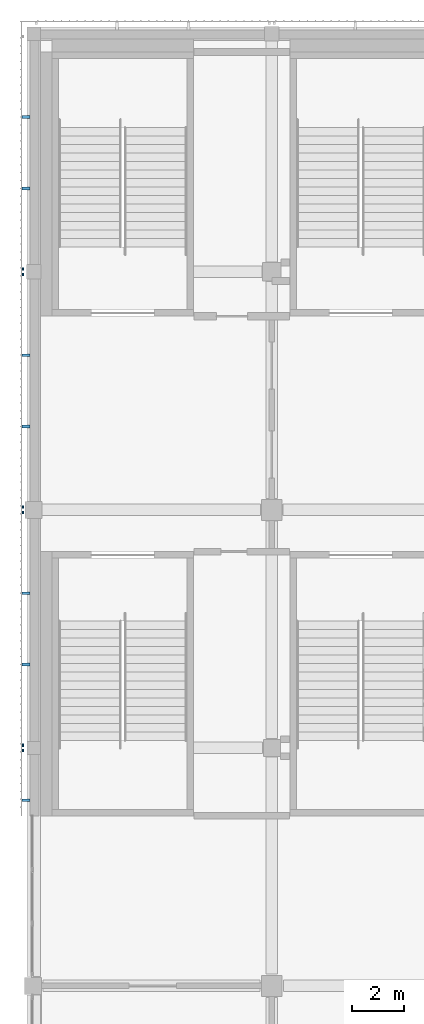
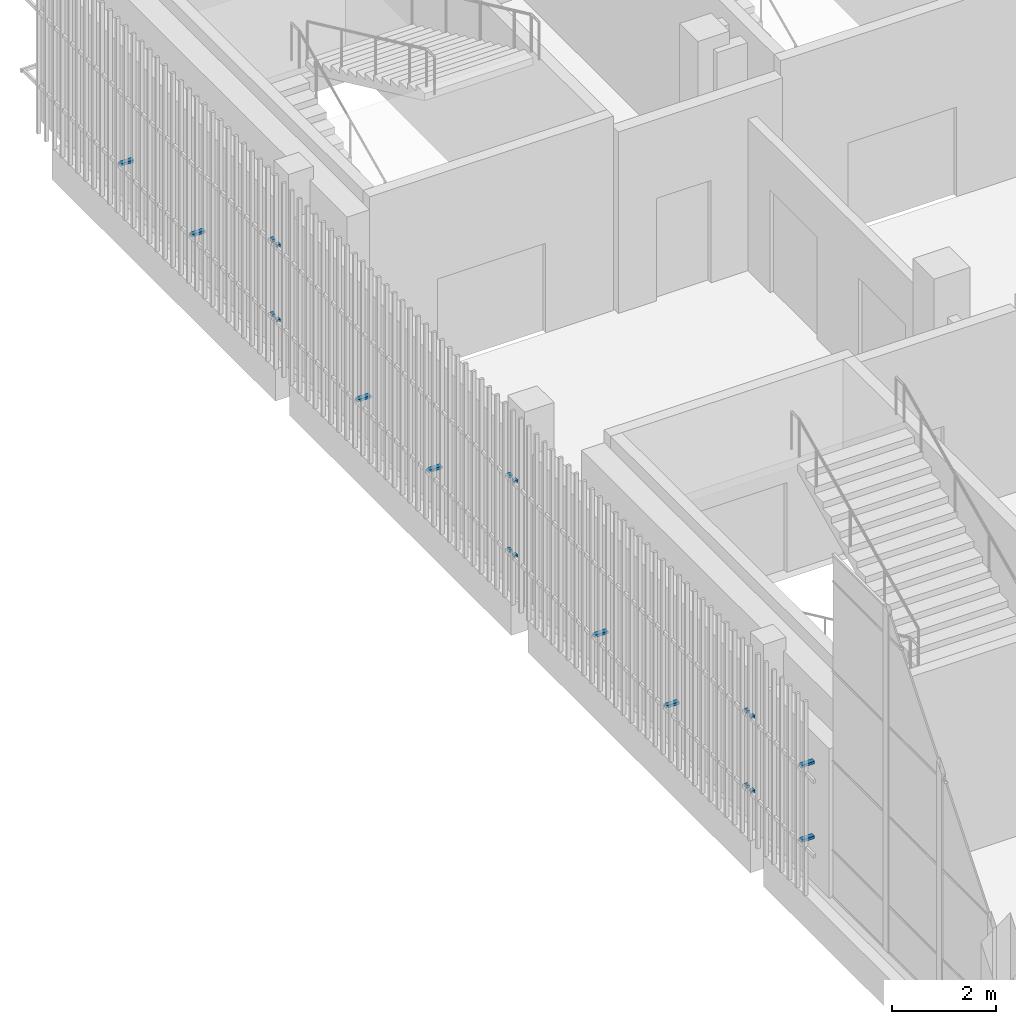
# One storey, part 99 of 126: 20 discrete accessories.
"""IFC4 building model written with IfcOpenShell, lengths in metres."""

from ifc_helpers import new_model, si_unit, direction, frame, origin, origin_2d, place, context, subcontext, project, spatial, rectangle, extrude, material, type_object, element, save


model = new_model("IFC4")

# Units and contexts
model_context = context("Model", 3, precision=1e-05, world=origin(), true_north=direction((0.0, 1.0)))
body_context = subcontext(model_context, "Body", "Model", "MODEL_VIEW")
ifc_project = project(units=[si_unit("LENGTHUNIT", "METRE"), si_unit("AREAUNIT", "SQUARE_METRE"), si_unit("VOLUMEUNIT", "CUBIC_METRE"), si_unit("PLANEANGLEUNIT", "RADIAN"), si_unit("MASSUNIT", "GRAM", prefix="KILO")], contexts=[model_context])

# Site, building, storey
site_placement = place(None, origin())
site = spatial("IfcSite", under=ifc_project, at=site_placement, CompositionType="ELEMENT")
building_placement = place(site_placement, origin())
building = spatial("IfcBuilding", under=site, at=building_placement, Name="Shirokan Park Arena", CompositionType="ELEMENT")
storey_placement = place(building_placement, frame((0.0, 0.0, 6.3701171875)))
storey = spatial("IfcBuildingStorey", under=building, at=storey_placement, Name="L01", CompositionType="ELEMENT", Elevation=6.3701171875)

# Discrete accessories
ifc_material = material(Name="Steel S355", Category="steel")
discrete_accessory_type = type_object("IfcDiscreteAccessoryType", Name="Veil bracket 100x60", PredefinedType="BRACKET", material=ifc_material)
for number, where, z_axis, x_axis, name in (
    (1, (-0.409912109375, 100.199951171875, 1.06982421875), (0.0, 0.0, 1.0), (0.0, -1.0, 0.0), "Veil bracket west bay 1 L01 2"),
    (2, (-0.409912109375, 100.199951171875, 2.81982421875), (0.0, 0.0, 1.0), (0.0, -1.0, 0.0), "Veil bracket west bay 1 L01 4"),
):
    element("IfcDiscreteAccessory", number, at=place(storey_placement, frame(where, z_axis=z_axis, x_axis=x_axis)), inside=storey, type_object=discrete_accessory_type, Name=name, PredefinedType="BRACKET", context=body_context, shape_type="SweptSolid", body=[
        extrude(rectangle(XDim=0.10009765625, YDim=0.070068359375, at=origin_2d()), origin(), (0.0, 0.0, 1.0), 0.06005859375),
    ])
for number, where, z_axis, x_axis, name in (
    (3, (-0.297607421875, 106.014892578125, 1.06982421875), (0.0, 0.0, 1.0), (0.0, -1.0, 0.0), "Veil bracket west bay 1 L01 wall 1"),
    (4, (-0.297607421875, 103.284912109375, 1.06982421875), (0.0, 0.0, 1.0), (0.0, -1.0, 0.0), "Veil bracket west bay 1 L01 wall 2"),
):
    element("IfcDiscreteAccessory", number, at=place(storey_placement, frame(where, z_axis=z_axis, x_axis=x_axis)), inside=storey, type_object=discrete_accessory_type, Name=name, PredefinedType="BRACKET", context=body_context, shape_type="SweptSolid", body=[
        extrude(rectangle(XDim=0.10009765625, YDim=0.294921875, at=origin_2d()), origin(), (0.0, 0.0, 1.0), 0.06005859375),
    ])
for number, where, z_axis, x_axis, name in (
    (5, (-0.409912109375, 100.0, 1.06982421875), (0.0, 0.0, 1.0), (0.0, -1.0, 0.0), "Veil bracket west bay 2 L01 1"),
    (6, (-0.409912109375, 91.10009765625, 1.06982421875), (0.0, 0.0, 1.0), (0.0, -1.0, 0.0), "Veil bracket west bay 2 L01 2"),
    (7, (-0.409912109375, 100.0, 2.81982421875), (0.0, 0.0, 1.0), (0.0, -1.0, 0.0), "Veil bracket west bay 2 L01 3"),
    (8, (-0.409912109375, 91.10009765625, 2.81982421875), (0.0, 0.0, 1.0), (0.0, -1.0, 0.0), "Veil bracket west bay 2 L01 4"),
):
    element("IfcDiscreteAccessory", number, at=place(storey_placement, frame(where, z_axis=z_axis, x_axis=x_axis)), inside=storey, type_object=discrete_accessory_type, Name=name, PredefinedType="BRACKET", context=body_context, shape_type="SweptSolid", body=[
        extrude(rectangle(XDim=0.10009765625, YDim=0.070068359375, at=origin_2d()), origin(), (0.0, 0.0, 1.0), 0.06005859375),
    ])
for number, where, z_axis, x_axis, name in (
    (9, (-0.297607421875, 96.9150390625, 1.06982421875), (0.0, 0.0, 1.0), (0.0, -1.0, 0.0), "Veil bracket west bay 2 L01 wall 1"),
    (10, (-0.297607421875, 94.18505859375, 1.06982421875), (0.0, 0.0, 1.0), (0.0, -1.0, 0.0), "Veil bracket west bay 2 L01 wall 2"),
):
    element("IfcDiscreteAccessory", number, at=place(storey_placement, frame(where, z_axis=z_axis, x_axis=x_axis)), inside=storey, type_object=discrete_accessory_type, Name=name, PredefinedType="BRACKET", context=body_context, shape_type="SweptSolid", body=[
        extrude(rectangle(XDim=0.10009765625, YDim=0.294921875, at=origin_2d()), origin(), (0.0, 0.0, 1.0), 0.06005859375),
    ])
for number, where, z_axis, x_axis, name in (
    (11, (-0.409912109375, 90.89990234375, 1.06982421875), (0.0, 0.0, 1.0), (0.0, -1.0, 0.0), "Veil bracket west bay 3 L01 1"),
    (12, (-0.409912109375, 82.0, 1.06982421875), (0.0, 0.0, 1.0), (0.0, -1.0, 0.0), "Veil bracket west bay 3 L01 2"),
    (13, (-0.409912109375, 90.89990234375, 2.81982421875), (0.0, 0.0, 1.0), (0.0, -1.0, 0.0), "Veil bracket west bay 3 L01 3"),
    (14, (-0.409912109375, 82.0, 2.81982421875), (0.0, 0.0, 1.0), (0.0, -1.0, 0.0), "Veil bracket west bay 3 L01 4"),
):
    element("IfcDiscreteAccessory", number, at=place(storey_placement, frame(where, z_axis=z_axis, x_axis=x_axis)), inside=storey, type_object=discrete_accessory_type, Name=name, PredefinedType="BRACKET", context=body_context, shape_type="SweptSolid", body=[
        extrude(rectangle(XDim=0.10009765625, YDim=0.070068359375, at=origin_2d()), origin(), (0.0, 0.0, 1.0), 0.06005859375),
    ])
for number, where, z_axis, x_axis, name in (
    (15, (-0.297607421875, 87.81494140625, 1.06982421875), (0.0, 0.0, 1.0), (0.0, -1.0, 0.0), "Veil bracket west bay 3 L01 wall 1"),
    (16, (-0.297607421875, 85.0849609375, 1.06982421875), (0.0, 0.0, 1.0), (0.0, -1.0, 0.0), "Veil bracket west bay 3 L01 wall 2"),
):
    element("IfcDiscreteAccessory", number, at=place(storey_placement, frame(where, z_axis=z_axis, x_axis=x_axis)), inside=storey, type_object=discrete_accessory_type, Name=name, PredefinedType="BRACKET", context=body_context, shape_type="SweptSolid", body=[
        extrude(rectangle(XDim=0.10009765625, YDim=0.294921875, at=origin_2d()), origin(), (0.0, 0.0, 1.0), 0.06005859375),
    ])
discrete_accessory_1_placement = place(storey_placement, frame((-0.409912109375, 81.800048828125, 1.06982421875), z_axis=(0.0, 0.0, 1.0), x_axis=(0.0, -1.0, 0.0)))
element("IfcDiscreteAccessory", 17, at=discrete_accessory_1_placement, inside=storey, type_object=discrete_accessory_type, Name="Veil bracket west bay 4 L01 1", PredefinedType="BRACKET", context=body_context, shape_type="SweptSolid", body=[
    extrude(rectangle(XDim=0.10009765625, YDim=0.070068359375, at=origin_2d()), origin(), (0.0, 0.0, 1.0), 0.06005859375),
])
discrete_accessory_2_placement = place(storey_placement, frame((-0.297607421875, 79.89990234375, 1.06982421875), z_axis=(0.0, 0.0, 1.0), x_axis=(0.0, -1.0, 0.0)))
element("IfcDiscreteAccessory", 18, at=discrete_accessory_2_placement, inside=storey, type_object=discrete_accessory_type, Name="Veil bracket west bay 4 L01 2", PredefinedType="BRACKET", context=body_context, shape_type="SweptSolid", body=[
    extrude(rectangle(XDim=0.10009765625, YDim=0.294921875, at=origin_2d()), origin(), (0.0, 0.0, 1.0), 0.06005859375),
])
discrete_accessory_3_placement = place(storey_placement, frame((-0.409912109375, 81.800048828125, 2.81982421875), z_axis=(0.0, 0.0, 1.0), x_axis=(0.0, -1.0, 0.0)))
element("IfcDiscreteAccessory", 19, at=discrete_accessory_3_placement, inside=storey, type_object=discrete_accessory_type, Name="Veil bracket west bay 4 L01 3", PredefinedType="BRACKET", context=body_context, shape_type="SweptSolid", body=[
    extrude(rectangle(XDim=0.10009765625, YDim=0.070068359375, at=origin_2d()), origin(), (0.0, 0.0, 1.0), 0.06005859375),
])
discrete_accessory_4_placement = place(storey_placement, frame((-0.297607421875, 79.89990234375, 2.81982421875), z_axis=(0.0, 0.0, 1.0), x_axis=(0.0, -1.0, 0.0)))
element("IfcDiscreteAccessory", 20, at=discrete_accessory_4_placement, inside=storey, type_object=discrete_accessory_type, Name="Veil bracket west bay 4 L01 4", PredefinedType="BRACKET", context=body_context, shape_type="SweptSolid", body=[
    extrude(rectangle(XDim=0.10009765625, YDim=0.294921875, at=origin_2d()), origin(), (0.0, 0.0, 1.0), 0.06005859375),
])

save(model, "model.ifc")
